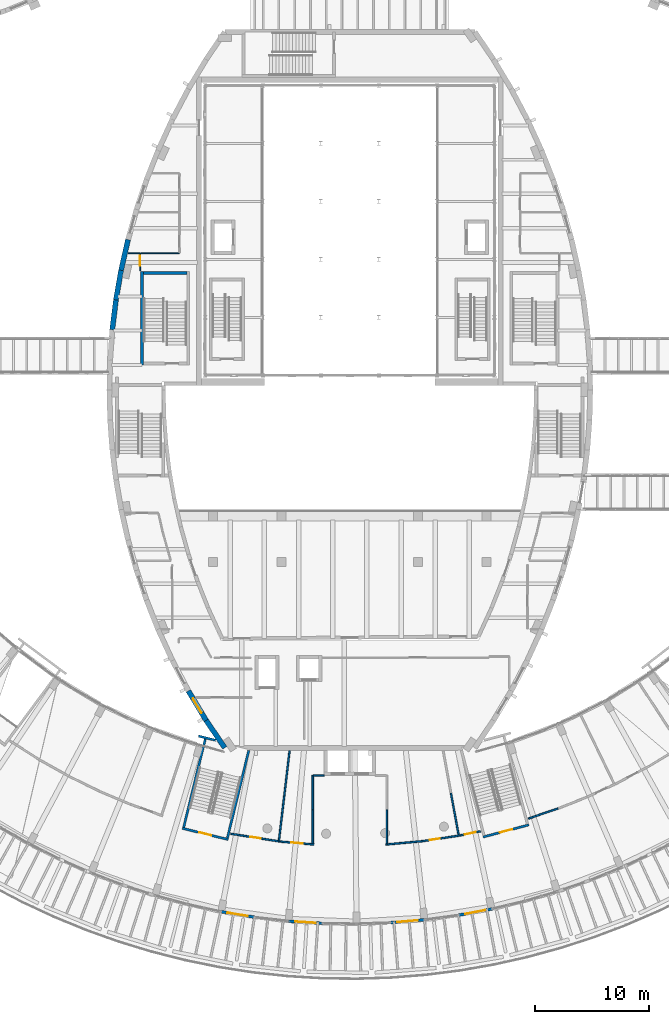
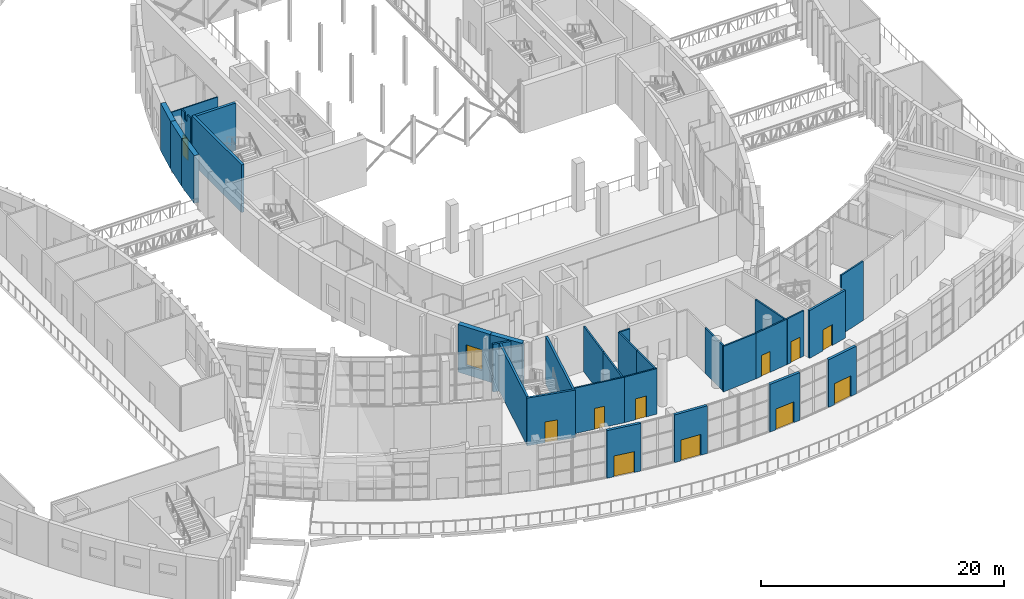
# One storey, part 57 of 93: 32 walls, 11 doors, 1 window, 12 openings.
"""IFC4 building model written with IfcOpenShell, lengths in metres."""

from ifc_helpers import new_model, si_unit, direction, frame, frame_2d, origin, place, context, subcontext, project, spatial, polyline, rectangle, outline, extrude, material, layer, layer_set, type_object, element, fill, save


model = new_model("IFC4")

# Units and contexts
model_context = context("Model", 3, precision=1e-05, world=origin(), true_north=direction((0.0, 1.0)))
body_context = subcontext(model_context, "Body", "Model", "MODEL_VIEW")
ifc_project = project(units=[si_unit("LENGTHUNIT", "METRE"), si_unit("AREAUNIT", "SQUARE_METRE"), si_unit("VOLUMEUNIT", "CUBIC_METRE"), si_unit("PLANEANGLEUNIT", "RADIAN"), si_unit("MASSUNIT", "GRAM", prefix="KILO")], contexts=[model_context])

# Site, building, storey
site_placement = place(None, origin())
site = spatial("IfcSite", under=ifc_project, at=site_placement, CompositionType="ELEMENT")
building_placement = place(site_placement, origin())
building = spatial("IfcBuilding", under=site, at=building_placement, Name="Tide Square Theatres", CompositionType="ELEMENT")
storey_placement = place(building_placement, frame((0.0, 0.0, 5.39990234375)))
storey = spatial("IfcBuildingStorey", under=building, at=storey_placement, Name="L01", CompositionType="ELEMENT", Elevation=5.39990234375)

# Walls
ifc_material_1 = material(Name="Gypsum board on steel studs", Category="steel")
ifc_layer_1 = layer(ifc_material_1, 0.10009765625)
ifc_layer_set_1 = layer_set([ifc_layer_1], Name="Gypsum board on steel studs")
wall_type_1 = type_object("IfcWallType", Name="Partition 100 thick", PredefinedType="PARTITIONING", material=ifc_layer_set_1)
wall_1_placement = place(storey_placement, frame((65.570068359375, 67.0, 0.0), z_axis=(0.0, 0.0, 1.0), x_axis=(-1.0, 0.0, 0.0)))
element("IfcWall", 1, at=wall_1_placement, inside=storey, type_object=wall_type_1, Name="Partition", PredefinedType="PARTITIONING", context=body_context, shape_type="SweptSolid", body=[
    extrude(rectangle(XDim=1.035400390625, YDim=0.10009765625, at=frame_2d((0.517578125, 0.0))), origin(), (0.0, 0.0, 1.0), 4.550048828125),
])
wall_2_placement = place(storey_placement, frame((69.016845703125, 67.0, 0.0), z_axis=(0.0, 0.0, 1.0), x_axis=(-1.0, 0.0, 0.0)))
element("IfcWall", 2, at=wall_2_placement, inside=storey, type_object=wall_type_1, Name="Partition", PredefinedType="PARTITIONING", context=body_context, shape_type="SweptSolid", body=[
    extrude(rectangle(XDim=3.386962890625, YDim=0.10009765625, at=frame_2d((1.693359375, 0.0))), origin(), (0.0, 0.0, 1.0), 4.550048828125),
])

# Wall, opening, door
wall_3_placement = place(storey_placement, frame((65.60009765625, 66.97998046875, 0.0), z_axis=(0.0, 0.0, 1.0), x_axis=(0.0, -1.0, 0.0)))
wall_3 = element("IfcWall", 3, at=wall_3_placement, inside=storey, type_object=wall_type_1, Name="Partition", PredefinedType="PARTITIONING", context=body_context, shape_type="SweptSolid", body=[
    extrude(outline(polyline([(0.0, 0.0), (1.52001953125, 0.0), (1.52001953125, 4.550048828125), (0.987060546875, 4.550048828125), (0.985107421875, 3.820068359375), (0.574951171875, 3.820068359375), (0.572998046875, 4.550048828125), (0.0, 4.550048828125), (0.0, 0.0)])), frame((0.0, 0.050048828125, 0.0), z_axis=(0.0, -1.0, 0.0), x_axis=(1.0, 0.0, 0.0)), (0.0, 0.0, 1.0), 0.10009765625),
])
opening_1_placement = place(wall_3_placement, frame((0.199951171875, 0.0, 0.0)))
opening_1 = element("IfcOpeningElement", 4, at=opening_1_placement, cuts=wall_3, Name="Opening M01-20", PredefinedType="OPENING", context=body_context, shape_type="SweptSolid", body=[
    extrude(rectangle(XDim=0.89990234375, YDim=2.10009765625, at=frame_2d((0.449951171875, 1.050048828125))), frame((0.0, 0.06005859375, 0.0), z_axis=(0.0, -1.0, 0.0), x_axis=(1.0, 0.0, 0.0)), (0.0, 0.0, 1.0), 0.1201171875),
])
ifc_material_2 = material(Name="Hardwood timber", Category="wood")
door_type_1 = type_object("IfcDoorType", Name="Door 900 x 2100 single leaf", OperationType="NOTDEFINED", PredefinedType="DOOR", material=ifc_material_2)
door_1_placement = place(opening_1_placement, frame((0.89990234375, 0.0, 0.0), z_axis=(0.0, 0.0, 1.0), x_axis=(-1.0, 0.0, 0.0)))
door_1 = element("IfcDoor", 5, at=door_1_placement, inside=storey, type_object=door_type_1, Name="Company Canteen door", OperationType="SINGLE_SWING_RIGHT", OverallHeight=2.10009765625, OverallWidth=0.89990234375, PredefinedType="DOOR", context=body_context, shape_type="SweptSolid", body=[
    extrude(rectangle(XDim=0.89990234375, YDim=2.10009765625, at=frame_2d((0.449951171875, 1.050048828125))), frame((0.0, 0.02490234375, 0.0), z_axis=(0.0, -1.0, 0.0), x_axis=(1.0, 0.0, 0.0)), (0.0, 0.0, 1.0), 0.050048828125),
])
fill(opening_1, door_1)

# Walls
ifc_material_3 = material(Name="Concrete masonry block", Category="masonry")
ifc_layer_2 = layer(ifc_material_3, 0.139892578125)
ifc_layer_set_2 = layer_set([ifc_layer_2], Name="Concrete masonry block")
wall_type_2 = type_object("IfcWallType", Name="Partition 140 thick", PredefinedType="PARTITIONING", material=ifc_layer_set_2)
wall_4_placement = place(storey_placement, frame((78.71337890625, 23.317626953125, 0.0), z_axis=(0.0, 0.0, 1.0), x_axis=(-0.117524162316, -0.993070023348, 0.0)))
element("IfcWall", 6, at=wall_4_placement, inside=storey, type_object=wall_type_2, Name="Foyer room partition", PredefinedType="PARTITIONING", context=body_context, shape_type="SweptSolid", body=[
    extrude(rectangle(XDim=4.003173828125, YDim=0.139892578125, at=frame_2d((2.00146484375, 0.0))), origin(), (0.0, 0.0, 1.0), 4.580078125),
])
wall_5_placement = place(storey_placement, frame((78.242919921875, 19.34228515625, 0.0), z_axis=(0.0, 0.0, 1.0), x_axis=(-0.117462752038, -0.993077288978, 0.0)))
element("IfcWall", 7, at=wall_5_placement, inside=storey, type_object=wall_type_2, Name="Foyer room partition", PredefinedType="PARTITIONING", context=body_context, shape_type="SweptSolid", body=[
    extrude(rectangle(XDim=3.94287109375, YDim=0.139892578125, at=frame_2d((1.971435546875, 0.0))), origin(), (0.0, 0.0, 1.0), 4.580078125),
])
wall_6_placement = place(storey_placement, frame((92.87939453125, 19.59375, 0.0), z_axis=(0.0, 0.0, 1.0), x_axis=(0.18037858071, -0.983597258852, 0.0)))
element("IfcWall", 8, at=wall_6_placement, inside=storey, type_object=wall_type_2, Name="Foyer room partition", PredefinedType="PARTITIONING", context=body_context, shape_type="SweptSolid", body=[
    extrude(rectangle(XDim=3.72607421875, YDim=0.139892578125, at=frame_2d((1.863037109375, 0.0))), origin(), (0.0, 0.0, 1.0), 4.580078125),
])
wall_7_placement = place(storey_placement, frame((80.75, 15.1630859375, 0.0), z_axis=(0.0, 0.0, 1.0), x_axis=(0.0, 1.0, 0.0)))
element("IfcWall", 9, at=wall_7_placement, inside=storey, type_object=wall_type_2, Name="Foyer room partition", PredefinedType="PARTITIONING", context=body_context, shape_type="SweptSolid", body=[
    extrude(rectangle(XDim=2.96728515625, YDim=0.139892578125, at=frame_2d((1.483642578125, 0.0))), origin(), (0.0, 0.0, 1.0), 4.580078125),
])
wall_8_placement = place(storey_placement, frame((80.75, 18.13037109375, 0.0), z_axis=(0.0, 0.0, 1.0), x_axis=(0.0, 1.0, 0.0)))
element("IfcWall", 10, at=wall_8_placement, inside=storey, type_object=wall_type_2, Name="Foyer room partition", PredefinedType="PARTITIONING", context=body_context, shape_type="SweptSolid", body=[
    extrude(rectangle(XDim=3.02734375, YDim=0.139892578125, at=frame_2d((1.513671875, 0.0))), origin(), (0.0, 0.0, 1.0), 4.580078125),
])
wall_9_placement = place(storey_placement, frame((87.25, 15.1630859375, 0.0), z_axis=(0.0, 0.0, 1.0), x_axis=(0.0, 1.0, 0.0)))
element("IfcWall", 11, at=wall_9_placement, inside=storey, type_object=wall_type_2, Name="Foyer room partition", PredefinedType="PARTITIONING", context=body_context, shape_type="SweptSolid", body=[
    extrude(rectangle(XDim=2.96728515625, YDim=0.139892578125, at=frame_2d((1.483642578125, 0.0))), origin(), (0.0, 0.0, 1.0), 4.580078125),
])
wall_10_placement = place(storey_placement, frame((80.800048828125, 21.15771484375, 0.0), z_axis=(0.0, 0.0, 1.0), x_axis=(1.0, 0.0, 0.0)))
element("IfcWall", 12, at=wall_10_placement, inside=storey, type_object=wall_type_2, Name="Foyer room partition", PredefinedType="PARTITIONING", context=body_context, shape_type="SweptSolid", body=[
    extrude(rectangle(XDim=0.949951171875, YDim=0.139892578125, at=frame_2d((0.47509765625, 0.0))), origin(), (0.0, 0.0, 1.0), 4.580078125),
])

# Wall, opening, door
wall_11_placement = place(storey_placement, frame((73.554443359375, 16.03955078125, 0.0), z_axis=(0.0, 0.0, 1.0), x_axis=(0.987693268679, -0.156403347173, 0.0)))
wall_11 = element("IfcWall", 13, at=wall_11_placement, inside=storey, type_object=wall_type_2, Name="Foyer room wall", PredefinedType="PARTITIONING", context=body_context, shape_type="SweptSolid", body=[
    extrude(rectangle(XDim=4.380126953125, YDim=0.139892578125, at=frame_2d((2.18994140625, 0.0))), origin(), (0.0, 0.0, 1.0), 4.580078125),
])
opening_2_placement = place(wall_11_placement, frame((1.739990234375, 0.0, 0.0)))
opening_2 = element("IfcOpeningElement", 14, at=opening_2_placement, cuts=wall_11, Name="Opening F01-16", PredefinedType="OPENING", context=body_context, shape_type="SweptSolid", body=[
    extrude(rectangle(XDim=0.89990234375, YDim=2.10009765625, at=frame_2d((0.449951171875, 1.050048828125))), frame((0.0, 0.079833984375, 0.0), z_axis=(0.0, -1.0, 0.0), x_axis=(1.0, 0.0, 0.0)), (0.0, 0.0, 1.0), 0.159912109375),
])
door_2_placement = place(opening_2_placement, origin())
door_2 = element("IfcDoor", 15, at=door_2_placement, inside=storey, type_object=door_type_1, Name="Public Toilets 2 door", OperationType="SINGLE_SWING_RIGHT", OverallHeight=2.10009765625, OverallWidth=0.89990234375, PredefinedType="DOOR", context=body_context, shape_type="SweptSolid", body=[
    extrude(rectangle(XDim=0.89990234375, YDim=2.10009765625, at=frame_2d((0.449951171875, 1.050048828125))), frame((0.0, 0.02490234375, 0.0), z_axis=(0.0, -1.0, 0.0), x_axis=(1.0, 0.0, 0.0)), (0.0, 0.0, 1.0), 0.050048828125),
])
fill(opening_2, door_2)

wall_12_placement = place(storey_placement, frame((77.900390625, 15.352294921875, 0.0), z_axis=(0.0, 0.0, 1.0), x_axis=(0.996183521579, -0.087283396667, 0.0)))
wall_12 = element("IfcWall", 16, at=wall_12_placement, inside=storey, type_object=wall_type_2, Name="Foyer room wall", PredefinedType="PARTITIONING", context=body_context, shape_type="SweptSolid", body=[
    extrude(rectangle(XDim=2.96484375, YDim=0.139892578125, at=frame_2d((1.482421875, 0.0))), origin(), (0.0, 0.0, 1.0), 4.580078125),
])
opening_3_placement = place(wall_12_placement, frame((0.982421875, 0.0, 0.0)))
opening_3 = element("IfcOpeningElement", 17, at=opening_3_placement, cuts=wall_12, Name="Opening F01-17", PredefinedType="OPENING", context=body_context, shape_type="SweptSolid", body=[
    extrude(rectangle(XDim=1.0, YDim=2.10009765625, at=frame_2d((0.5, 1.050048828125))), frame((0.0, 0.079833984375, 0.0), z_axis=(0.0, -1.0, 0.0), x_axis=(1.0, 0.0, 0.0)), (0.0, 0.0, 1.0), 0.159912109375),
])
ifc_material_4 = material(Name="Hardwood timber", Category="wood")
door_type_2 = type_object("IfcDoorType", Name="Door 1000 x 2100 single leaf", OperationType="NOTDEFINED", PredefinedType="DOOR", material=ifc_material_4)
door_3_placement = place(opening_3_placement, origin())
door_3 = element("IfcDoor", 18, at=door_3_placement, inside=storey, type_object=door_type_2, Name="Accessible Toilet 2 door", OperationType="SINGLE_SWING_RIGHT", OverallHeight=2.10009765625, OverallWidth=1.0, PredefinedType="DOOR", context=body_context, shape_type="SweptSolid", body=[
    extrude(rectangle(XDim=1.0, YDim=2.10009765625, at=frame_2d((0.5, 1.050048828125))), frame((0.0, 0.02490234375, 0.0), z_axis=(0.0, -1.0, 0.0), x_axis=(1.0, 0.0, 0.0)), (0.0, 0.0, 1.0), 0.050048828125),
])
fill(opening_3, door_3)

# Wall
wall_13_placement = place(storey_placement, frame((87.14599609375, 15.093505859375, 0.0), z_axis=(0.0, 0.0, 1.0), x_axis=(0.995913271916, 0.090314754169, 0.0)))
element("IfcWall", 19, at=wall_13_placement, inside=storey, type_object=wall_type_2, Name="Foyer room wall", PredefinedType="PARTITIONING", context=body_context, shape_type="SweptSolid", body=[
    extrude(rectangle(XDim=3.287109375, YDim=0.139892578125, at=frame_2d((1.6435546875, 0.0))), origin(), (0.0, 0.0, 1.0), 4.580078125),
])

# Wall, opening, door
wall_14_placement = place(storey_placement, frame((90.419677734375, 15.390380859375, 0.0), z_axis=(0.0, 0.0, 1.0), x_axis=(0.988407735118, 0.151822755736, 0.0)))
wall_14 = element("IfcWall", 20, at=wall_14_placement, inside=storey, type_object=wall_type_2, Name="Foyer room wall", PredefinedType="PARTITIONING", context=body_context, shape_type="SweptSolid", body=[
    extrude(rectangle(XDim=3.286865234375, YDim=0.139892578125, at=frame_2d((1.6435546875, 0.0))), origin(), (0.0, 0.0, 1.0), 4.580078125),
])
opening_4_placement = place(wall_14_placement, frame((0.593505859375, 0.0, 0.0)))
opening_4 = element("IfcOpeningElement", 21, at=opening_4_placement, cuts=wall_14, Name="Opening F01-18", PredefinedType="OPENING", context=body_context, shape_type="SweptSolid", body=[
    extrude(rectangle(XDim=0.89990234375, YDim=2.10009765625, at=frame_2d((0.449951171875, 1.050048828125))), frame((0.0, 0.079833984375, 0.0), z_axis=(0.0, -1.0, 0.0), x_axis=(1.0, 0.0, 0.0)), (0.0, 0.0, 1.0), 0.159912109375),
])
door_4_placement = place(opening_4_placement, origin())
door_4 = element("IfcDoor", 22, at=door_4_placement, inside=storey, type_object=door_type_1, Name="Plant Room F1 door", OperationType="SINGLE_SWING_RIGHT", OverallHeight=2.10009765625, OverallWidth=0.89990234375, PredefinedType="DOOR", context=body_context, shape_type="SweptSolid", body=[
    extrude(rectangle(XDim=0.89990234375, YDim=2.10009765625, at=frame_2d((0.449951171875, 1.050048828125))), frame((0.0, 0.02490234375, 0.0), z_axis=(0.0, -1.0, 0.0), x_axis=(1.0, 0.0, 0.0)), (0.0, 0.0, 1.0), 0.050048828125),
])
fill(opening_4, door_4)

wall_15_placement = place(storey_placement, frame((93.68798828125, 15.89306640625, 0.0), z_axis=(0.0, 0.0, 1.0), x_axis=(0.979888212279, 0.199547216058, 0.0)))
wall_15 = element("IfcWall", 23, at=wall_15_placement, inside=storey, type_object=wall_type_2, Name="Foyer room wall", PredefinedType="PARTITIONING", context=body_context, shape_type="SweptSolid", body=[
    extrude(rectangle(XDim=1.8193359375, YDim=0.139892578125, at=frame_2d((0.90966796875, 0.0))), origin(), (0.0, 0.0, 1.0), 4.580078125),
])
opening_5_placement = place(wall_15_placement, frame((0.40966796875, 0.0, 0.0)))
opening_5 = element("IfcOpeningElement", 24, at=opening_5_placement, cuts=wall_15, Name="Opening F01-19", PredefinedType="OPENING", context=body_context, shape_type="SweptSolid", body=[
    extrude(rectangle(XDim=1.0, YDim=2.10009765625, at=frame_2d((0.5, 1.050048828125))), frame((0.0, 0.079833984375, 0.0), z_axis=(0.0, -1.0, 0.0), x_axis=(1.0, 0.0, 0.0)), (0.0, 0.0, 1.0), 0.159912109375),
])
door_5_placement = place(opening_5_placement, origin())
door_5 = element("IfcDoor", 25, at=door_5_placement, inside=storey, type_object=door_type_2, Name="Members Lounge door", OperationType="SINGLE_SWING_RIGHT", OverallHeight=2.10009765625, OverallWidth=1.0, PredefinedType="DOOR", context=body_context, shape_type="SweptSolid", body=[
    extrude(rectangle(XDim=1.0, YDim=2.10009765625, at=frame_2d((0.5, 1.050048828125))), frame((0.0, 0.02490234375, 0.0), z_axis=(0.0, -1.0, 0.0), x_axis=(1.0, 0.0, 0.0)), (0.0, 0.0, 1.0), 0.050048828125),
])
fill(opening_5, door_5)

# Walls
wall_16_placement = place(storey_placement, frame((99.67529296875, 17.37109375, 0.0), z_axis=(0.0, 0.0, 1.0), x_axis=(0.947261203158, 0.320462498573, 0.0)))
element("IfcWall", 26, at=wall_16_placement, inside=storey, type_object=wall_type_2, Name="Foyer room wall", PredefinedType="PARTITIONING", context=body_context, shape_type="SweptSolid", body=[
    extrude(rectangle(XDim=2.748046875, YDim=0.139892578125, at=frame_2d((1.3740234375, 0.0))), origin(), (0.0, 0.0, 1.0), 5.9580078125),
])
ifc_material_5 = material(Name="Concrete C40", Category="concrete")
ifc_layer_3 = layer(ifc_material_5, 0.449951171875)
ifc_layer_set_3 = layer_set([ifc_layer_3], Name="Concrete C40")
wall_type_3 = type_object("IfcWallType", Name="RC curved wall 450 thick", PredefinedType="SOLIDWALL", material=ifc_layer_set_3)
wall_17_placement = place(storey_placement, frame((64.5322265625, 68.18798828125, 0.0), z_axis=(0.0, 0.0, 1.0), x_axis=(-0.220347996563, -0.975421324562, 0.0)))
element("IfcWall", 27, at=wall_17_placement, inside=storey, type_object=wall_type_3, Name="Main Theatre perimeter wall", PredefinedType="SOLIDWALL", context=body_context, shape_type="SweptSolid", body=[
    extrude(rectangle(XDim=2.752197265625, YDim=0.449951171875, at=frame_2d((1.3759765625, 0.0))), origin(), (0.0, 0.0, 1.0), 4.800048828125),
])
wall_18_placement = place(storey_placement, frame((63.92578125, 65.50341796875, 0.0), z_axis=(0.0, 0.0, 1.0), x_axis=(-0.171196910379, -0.985236833394, 0.0)))
element("IfcWall", 28, at=wall_18_placement, inside=storey, type_object=wall_type_3, Name="Main Theatre perimeter wall", PredefinedType="SOLIDWALL", context=body_context, shape_type="SweptSolid", body=[
    extrude(rectangle(XDim=2.642578125, YDim=0.449951171875, at=frame_2d((1.3212890625, 0.0))), origin(), (0.0, 0.0, 1.0), 4.800048828125),
])
wall_19_placement = place(storey_placement, frame((63.473388671875, 62.89990234375, 0.0), z_axis=(0.0, 0.0, 1.0), x_axis=(-0.122499610212, -0.992468561466, 0.0)))
element("IfcWall", 29, at=wall_19_placement, inside=storey, type_object=wall_type_3, Name="Main Theatre perimeter wall", PredefinedType="SOLIDWALL", context=body_context, shape_type="SweptSolid", body=[
    extrude(rectangle(XDim=2.642822265625, YDim=0.449951171875, at=frame_2d((1.3212890625, 0.0))), origin(), (0.0, 0.0, 1.0), 4.800048828125),
])

# Wall, opening, window
wall_20_placement = place(storey_placement, frame((69.830810546875, 28.57470703125, 0.0), z_axis=(0.0, 0.0, 1.0), x_axis=(0.515636119523, -0.856807675177, 0.0)))
wall_20 = element("IfcWall", 30, at=wall_20_placement, inside=storey, type_object=wall_type_3, Name="Main Theatre perimeter wall", PredefinedType="SOLIDWALL", context=body_context, shape_type="SweptSolid", body=[
    extrude(rectangle(XDim=3.021240234375, YDim=0.449951171875, at=frame_2d((1.5107421875, 0.0))), origin(), (0.0, 0.0, 1.0), 4.800048828125),
])
opening_6_placement = place(wall_20_placement, frame((0.760498046875, 0.0, 0.89990234375)))
opening_6 = element("IfcOpeningElement", 31, at=opening_6_placement, cuts=wall_20, Name="Opening WN-01", PredefinedType="OPENING", context=body_context, shape_type="SweptSolid", body=[
    extrude(rectangle(XDim=1.5, YDim=2.10009765625, at=frame_2d((0.75, 1.050048828125))), frame((0.0, 0.23486328125, 0.0), z_axis=(0.0, -1.0, 0.0), x_axis=(1.0, 0.0, 0.0)), (0.0, 0.0, 1.0), 0.469970703125),
])
ifc_material_6 = material(Name="Aluminium with laminated glass", Category="aluminium")
window_type = type_object("IfcWindowType", Name="Window 1500 x 2100", PartitioningType="SINGLE_PANEL", PredefinedType="WINDOW", material=ifc_material_6)
window_placement = place(opening_6_placement, origin())
window = element("IfcWindow", 32, at=window_placement, inside=storey, type_object=window_type, Name="Main Theatre window", OverallHeight=2.10009765625, OverallWidth=1.5, PartitioningType="SINGLE_PANEL", PredefinedType="WINDOW", context=body_context, shape_type="SweptSolid", body=[
    extrude(rectangle(XDim=1.5, YDim=2.10009765625, at=frame_2d((0.75, 1.050048828125))), frame((0.0, 0.030029296875, 0.0), z_axis=(0.0, -1.0, 0.0), x_axis=(1.0, 0.0, 0.0)), (0.0, 0.0, 1.0), 0.06005859375),
])
fill(opening_6, window)

# Wall
wall_21_placement = place(storey_placement, frame((71.388671875, 25.986083984375, 0.0), z_axis=(0.0, 0.0, 1.0), x_axis=(0.5629642644, -0.826481238147, 0.0)))
element("IfcWall", 33, at=wall_21_placement, inside=storey, type_object=wall_type_3, Name="Main Theatre perimeter wall", PredefinedType="SOLIDWALL", context=body_context, shape_type="SweptSolid", body=[
    extrude(rectangle(XDim=2.908203125, YDim=0.449951171875, at=frame_2d((1.4541015625, 0.0))), origin(), (0.0, 0.0, 1.0), 4.800048828125),
])

# Wall, opening, door
ifc_material_7 = material(Name="Concrete C40", Category="concrete")
ifc_layer_4 = layer(ifc_material_7, 0.199951171875)
ifc_layer_set_4 = layer_set([ifc_layer_4], Name="Concrete C40")
wall_type_4 = type_object("IfcWallType", Name="RC shear wall 200 thick", PredefinedType="SHEAR", material=ifc_layer_set_4)
wall_22_placement = place(storey_placement, frame((73.327880859375, 15.5341796875, 0.0), z_axis=(0.0, 0.0, 1.0), x_axis=(-0.97147374422, 0.237147136374, 0.0)))
wall_22 = element("IfcWall", 34, at=wall_22_placement, inside=storey, type_object=wall_type_4, Name="Exit stair F3 wall", PredefinedType="SHEAR", context=body_context, shape_type="SweptSolid", body=[
    extrude(rectangle(XDim=4.14990234375, YDim=0.199951171875, at=frame_2d((2.074951171875, 0.0))), origin(), (0.0, 0.0, 1.0), 4.800048828125),
])
opening_7_placement = place(wall_22_placement, frame((1.52490234375, 0.0, 0.0)))
opening_7 = element("IfcOpeningElement", 35, at=opening_7_placement, cuts=wall_22, Name="Opening F01-13", PredefinedType="OPENING", context=body_context, shape_type="SweptSolid", body=[
    extrude(rectangle(XDim=1.10009765625, YDim=2.10009765625, at=frame_2d((0.550048828125, 1.050048828125))), frame((0.0, 0.10986328125, 0.0), z_axis=(0.0, -1.0, 0.0), x_axis=(1.0, 0.0, 0.0)), (0.0, 0.0, 1.0), 0.219970703125),
])
ifc_material_8 = material(Name="Painted steel", Category="steel")
door_type_3 = type_object("IfcDoorType", Name="Door 1100 x 2100 single leaf", OperationType="NOTDEFINED", PredefinedType="DOOR", material=ifc_material_8)
door_6_placement = place(opening_7_placement, origin())
door_6 = element("IfcDoor", 36, at=door_6_placement, inside=storey, type_object=door_type_3, Name="Exit stair F3 door", OperationType="SINGLE_SWING_RIGHT", OverallHeight=2.10009765625, OverallWidth=1.10009765625, PredefinedType="DOOR", context=body_context, shape_type="SweptSolid", body=[
    extrude(rectangle(XDim=1.10009765625, YDim=2.10009765625, at=frame_2d((0.550048828125, 1.050048828125))), frame((0.0, 0.02490234375, 0.0), z_axis=(0.0, -1.0, 0.0), x_axis=(1.0, 0.0, 0.0)), (0.0, 0.0, 1.0), 0.050048828125),
])
fill(opening_7, door_6)

# Walls
wall_23_placement = place(storey_placement, frame((72.23193359375, 24.242431640625, 0.0), z_axis=(0.0, 0.0, 1.0), x_axis=(-0.971444715638, 0.237266020446, 0.0)))
element("IfcWall", 37, at=wall_23_placement, inside=storey, type_object=wall_type_4, Name="Exit stair F3 wall", PredefinedType="SHEAR", context=body_context, shape_type="SweptSolid", body=[
    extrude(rectangle(XDim=1.559814453125, YDim=0.199951171875, at=frame_2d((0.77978515625, 0.0))), origin(), (0.0, 0.0, 1.0), 4.800048828125),
])
wall_24_placement = place(storey_placement, frame((73.254638671875, 15.655029296875, 0.0), z_axis=(0.0, 0.0, 1.0), x_axis=(0.237142809453, 0.971474800458, 0.0)))
element("IfcWall", 38, at=wall_24_placement, inside=storey, type_object=wall_type_4, Name="Exit stair F3 wall", PredefinedType="SHEAR", context=body_context, shape_type="SweptSolid", body=[
    extrude(rectangle(XDim=7.919921875, YDim=0.199951171875, at=frame_2d((3.9599609375, 0.0))), origin(), (0.0, 0.0, 1.0), 4.800048828125),
])
wall_25_placement = place(storey_placement, frame((69.417236328125, 16.591796875, 0.0), z_axis=(0.0, 0.0, 1.0), x_axis=(0.2371535898, 0.971472168847, 0.0)))
element("IfcWall", 39, at=wall_25_placement, inside=storey, type_object=wall_type_4, Name="Exit stair F3 wall", PredefinedType="SHEAR", context=body_context, shape_type="SweptSolid", body=[
    extrude(rectangle(XDim=8.0, YDim=0.199951171875, at=frame_2d((4.0, 0.0))), origin(), (0.0, 0.0, 1.0), 4.800048828125),
])

# Wall, opening, door
wall_26_placement = place(storey_placement, frame((99.71826171875, 16.819091796875, 0.0), z_axis=(0.0, 0.0, 1.0), x_axis=(-0.966590417756, -0.256325894715, 0.0)))
wall_26 = element("IfcWall", 40, at=wall_26_placement, inside=storey, type_object=wall_type_4, Name="Exit stair F4 wall", PredefinedType="SHEAR", context=body_context, shape_type="SweptSolid", body=[
    extrude(rectangle(XDim=4.14990234375, YDim=0.199951171875, at=frame_2d((2.074951171875, 0.0))), origin(), (0.0, 0.0, 1.0), 4.800048828125),
])
opening_8_placement = place(wall_26_placement, frame((1.52490234375, 0.0, 0.0)))
opening_8 = element("IfcOpeningElement", 41, at=opening_8_placement, cuts=wall_26, Name="Opening F01-14", PredefinedType="OPENING", context=body_context, shape_type="SweptSolid", body=[
    extrude(rectangle(XDim=1.10009765625, YDim=2.10009765625, at=frame_2d((0.550048828125, 1.050048828125))), frame((0.0, 0.10986328125, 0.0), z_axis=(0.0, -1.0, 0.0), x_axis=(1.0, 0.0, 0.0)), (0.0, 0.0, 1.0), 0.219970703125),
])
door_7_placement = place(opening_8_placement, origin())
door_7 = element("IfcDoor", 42, at=door_7_placement, inside=storey, type_object=door_type_3, Name="Exit stair F4 door", OperationType="SINGLE_SWING_RIGHT", OverallHeight=2.10009765625, OverallWidth=1.10009765625, PredefinedType="DOOR", context=body_context, shape_type="SweptSolid", body=[
    extrude(rectangle(XDim=1.10009765625, YDim=2.10009765625, at=frame_2d((0.550048828125, 1.050048828125))), frame((0.0, 0.02490234375, 0.0), z_axis=(0.0, -1.0, 0.0), x_axis=(1.0, 0.0, 0.0)), (0.0, 0.0, 1.0), 0.050048828125),
])
fill(opening_8, door_7)

# Walls
ifc_material_9 = material(Name="Concrete C40", Category="concrete")
ifc_layer_5 = layer(ifc_material_9, 0.25)
ifc_layer_set_5 = layer_set([ifc_layer_5], Name="Concrete C40")
wall_type_5 = type_object("IfcWallType", Name="RC shear wall 250 thick", PredefinedType="SHEAR", material=ifc_layer_set_5)
wall_27_placement = place(storey_placement, frame((65.77490234375, 65.39990234375, 0.0), z_axis=(0.0, 0.0, 1.0), x_axis=(0.0, -1.0, 0.0)))
element("IfcWall", 43, at=wall_27_placement, inside=storey, type_object=wall_type_5, Name="Main Theatre West Stair shaft wall", PredefinedType="SHEAR", context=body_context, shape_type="SweptSolid", body=[
    extrude(rectangle(XDim=8.199951171875, YDim=0.25, at=frame_2d((4.10009765625, 0.0))), origin(), (0.0, 0.0, 1.0), 4.800048828125),
])
wall_28_placement = place(storey_placement, frame((65.89990234375, 65.27490234375, 0.0), z_axis=(0.0, 0.0, 1.0), x_axis=(1.0, 0.0, 0.0)))
element("IfcWall", 44, at=wall_28_placement, inside=storey, type_object=wall_type_5, Name="Main Theatre West Stair shaft wall", PredefinedType="SHEAR", context=body_context, shape_type="SweptSolid", body=[
    extrude(rectangle(XDim=3.800048828125, YDim=0.25, at=frame_2d((1.89990234375, 0.0))), origin(), (0.0, 0.0, 1.0), 4.800048828125),
])

# Wall, opening, door
wall_29_placement = place(storey_placement, frame((72.67529296875, 9.205810546875, 0.0), z_axis=(0.0, 0.0, 1.0), x_axis=(0.986371890278, -0.164531134044, 0.0)))
wall_29 = element("IfcWall", 45, at=wall_29_placement, inside=storey, type_object=wall_type_5, Name="Foyer entrance pier wall", PredefinedType="SHEAR", context=body_context, shape_type="SweptSolid", body=[
    extrude(rectangle(XDim=2.995849609375, YDim=0.25, at=frame_2d((1.498046875, 0.0))), origin(), (0.0, 0.0, 1.0), 4.800048828125),
])
opening_9_placement = place(wall_29_placement, frame((0.597900390625, 0.0, 0.0)))
opening_9 = element("IfcOpeningElement", 46, at=opening_9_placement, cuts=wall_29, Name="Opening F01-04", PredefinedType="OPENING", context=body_context, shape_type="SweptSolid", body=[
    extrude(rectangle(XDim=1.800048828125, YDim=2.10009765625, at=frame_2d((0.89990234375, 1.050048828125))), frame((0.0, 0.135009765625, 0.0), z_axis=(0.0, -1.0, 0.0), x_axis=(1.0, 0.0, 0.0)), (0.0, 0.0, 1.0), 0.27001953125),
])
ifc_material_10 = material(Name="Hardwood timber", Category="wood")
door_type_4 = type_object("IfcDoorType", Name="Door 1800 x 2100 double leaf", OperationType="DOUBLE_DOOR_SINGLE_SWING", PredefinedType="DOOR", material=ifc_material_10)
door_8_placement = place(opening_9_placement, frame((1.800048828125, 0.0, 0.0), z_axis=(0.0, 0.0, 1.0), x_axis=(-1.0, 0.0, 0.0)))
door_8 = element("IfcDoor", 47, at=door_8_placement, inside=storey, type_object=door_type_4, Name="Foyer veranda door", OperationType="DOUBLE_DOOR_SINGLE_SWING", OverallHeight=2.10009765625, OverallWidth=1.800048828125, PredefinedType="DOOR", context=body_context, shape_type="SweptSolid", body=[
    extrude(rectangle(XDim=1.800048828125, YDim=2.10009765625, at=frame_2d((0.89990234375, 1.050048828125))), frame((0.0, 0.02490234375, 0.0), z_axis=(0.0, -1.0, 0.0), x_axis=(1.0, 0.0, 0.0)), (0.0, 0.0, 1.0), 0.050048828125),
])
fill(opening_9, door_8)

wall_30_placement = place(storey_placement, frame((78.6064453125, 8.368408203125, 0.0), z_axis=(0.0, 0.0, 1.0), x_axis=(0.99787826494, -0.065107360255, 0.0)))
wall_30 = element("IfcWall", 48, at=wall_30_placement, inside=storey, type_object=wall_type_5, Name="Foyer entrance pier wall", PredefinedType="SHEAR", context=body_context, shape_type="SweptSolid", body=[
    extrude(rectangle(XDim=2.99609375, YDim=0.25, at=frame_2d((1.498046875, 0.0))), origin(), (0.0, 0.0, 1.0), 4.800048828125),
])
opening_10_placement = place(wall_30_placement, frame((0.597900390625, 0.0, 0.0)))
opening_10 = element("IfcOpeningElement", 49, at=opening_10_placement, cuts=wall_30, Name="Opening F01-05", PredefinedType="OPENING", context=body_context, shape_type="SweptSolid", body=[
    extrude(rectangle(XDim=1.800048828125, YDim=2.10009765625, at=frame_2d((0.89990234375, 1.050048828125))), frame((0.0, 0.135009765625, 0.0), z_axis=(0.0, -1.0, 0.0), x_axis=(1.0, 0.0, 0.0)), (0.0, 0.0, 1.0), 0.27001953125),
])
door_9_placement = place(opening_10_placement, frame((1.800048828125, 0.0, 0.0), z_axis=(0.0, 0.0, 1.0), x_axis=(-1.0, 0.0, 0.0)))
door_9 = element("IfcDoor", 50, at=door_9_placement, inside=storey, type_object=door_type_4, Name="Foyer veranda door", OperationType="DOUBLE_DOOR_SINGLE_SWING", OverallHeight=2.10009765625, OverallWidth=1.800048828125, PredefinedType="DOOR", context=body_context, shape_type="SweptSolid", body=[
    extrude(rectangle(XDim=1.800048828125, YDim=2.10009765625, at=frame_2d((0.89990234375, 1.050048828125))), frame((0.0, 0.02490234375, 0.0), z_axis=(0.0, -1.0, 0.0), x_axis=(1.0, 0.0, 0.0)), (0.0, 0.0, 1.0), 0.050048828125),
])
fill(opening_10, door_9)

wall_31_placement = place(storey_placement, frame((87.5859375, 8.232421875, 0.0), z_axis=(0.0, 0.0, 1.0), x_axis=(0.996388331705, 0.08491344088, 0.0)))
wall_31 = element("IfcWall", 51, at=wall_31_placement, inside=storey, type_object=wall_type_5, Name="Foyer entrance pier wall", PredefinedType="SHEAR", context=body_context, shape_type="SweptSolid", body=[
    extrude(rectangle(XDim=2.995849609375, YDim=0.25, at=frame_2d((1.498046875, 0.0))), origin(), (0.0, 0.0, 1.0), 4.800048828125),
])
opening_11_placement = place(wall_31_placement, frame((0.597900390625, 0.0, 0.0)))
opening_11 = element("IfcOpeningElement", 52, at=opening_11_placement, cuts=wall_31, Name="Opening F01-06", PredefinedType="OPENING", context=body_context, shape_type="SweptSolid", body=[
    extrude(rectangle(XDim=1.800048828125, YDim=2.10009765625, at=frame_2d((0.89990234375, 1.050048828125))), frame((0.0, 0.135009765625, 0.0), z_axis=(0.0, -1.0, 0.0), x_axis=(1.0, 0.0, 0.0)), (0.0, 0.0, 1.0), 0.27001953125),
])
door_10_placement = place(opening_11_placement, frame((1.800048828125, 0.0, 0.0), z_axis=(0.0, 0.0, 1.0), x_axis=(-1.0, 0.0, 0.0)))
door_10 = element("IfcDoor", 53, at=door_10_placement, inside=storey, type_object=door_type_4, Name="Foyer veranda door", OperationType="DOUBLE_DOOR_SINGLE_SWING", OverallHeight=2.10009765625, OverallWidth=1.800048828125, PredefinedType="DOOR", context=body_context, shape_type="SweptSolid", body=[
    extrude(rectangle(XDim=1.800048828125, YDim=2.10009765625, at=frame_2d((0.89990234375, 1.050048828125))), frame((0.0, 0.02490234375, 0.0), z_axis=(0.0, -1.0, 0.0), x_axis=(1.0, 0.0, 0.0)), (0.0, 0.0, 1.0), 0.050048828125),
])
fill(opening_11, door_10)

wall_32_placement = place(storey_placement, frame((93.539794921875, 8.889892578125, 0.0), z_axis=(0.0, 0.0, 1.0), x_axis=(0.982925651783, 0.184003160481, 0.0)))
wall_32 = element("IfcWall", 54, at=wall_32_placement, inside=storey, type_object=wall_type_5, Name="Foyer entrance pier wall", PredefinedType="SHEAR", context=body_context, shape_type="SweptSolid", body=[
    extrude(rectangle(XDim=2.99609375, YDim=0.25, at=frame_2d((1.498046875, 0.0))), origin(), (0.0, 0.0, 1.0), 4.800048828125),
])
opening_12_placement = place(wall_32_placement, frame((0.597900390625, 0.0, 0.0)))
opening_12 = element("IfcOpeningElement", 55, at=opening_12_placement, cuts=wall_32, Name="Opening F01-07", PredefinedType="OPENING", context=body_context, shape_type="SweptSolid", body=[
    extrude(rectangle(XDim=1.800048828125, YDim=2.10009765625, at=frame_2d((0.89990234375, 1.050048828125))), frame((0.0, 0.135009765625, 0.0), z_axis=(0.0, -1.0, 0.0), x_axis=(1.0, 0.0, 0.0)), (0.0, 0.0, 1.0), 0.27001953125),
])
door_11_placement = place(opening_12_placement, frame((1.800048828125, 0.0, 0.0), z_axis=(0.0, 0.0, 1.0), x_axis=(-1.0, 0.0, 0.0)))
door_11 = element("IfcDoor", 56, at=door_11_placement, inside=storey, type_object=door_type_4, Name="Foyer veranda door", OperationType="DOUBLE_DOOR_SINGLE_SWING", OverallHeight=2.10009765625, OverallWidth=1.800048828125, PredefinedType="DOOR", context=body_context, shape_type="SweptSolid", body=[
    extrude(rectangle(XDim=1.800048828125, YDim=2.10009765625, at=frame_2d((0.89990234375, 1.050048828125))), frame((0.0, 0.02490234375, 0.0), z_axis=(0.0, -1.0, 0.0), x_axis=(1.0, 0.0, 0.0)), (0.0, 0.0, 1.0), 0.050048828125),
])
fill(opening_12, door_11)

save(model, "model.ifc")
